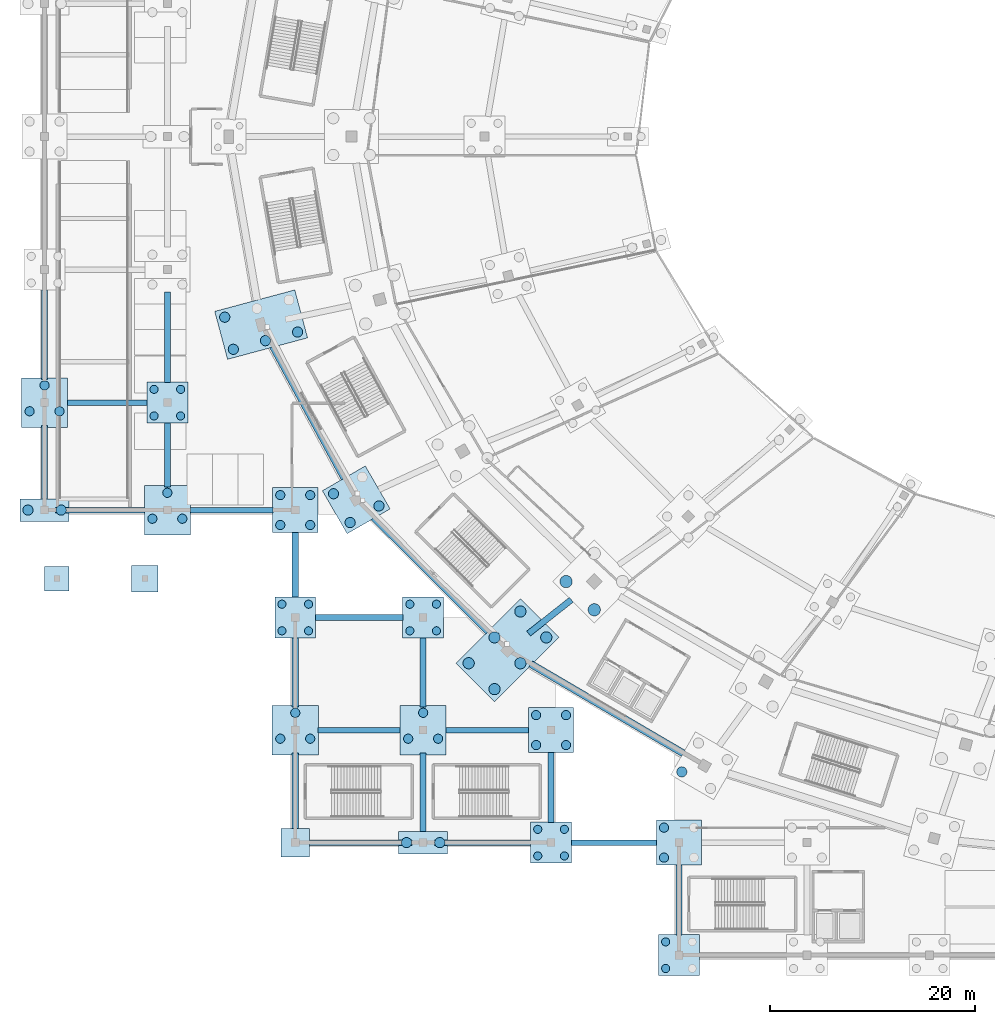
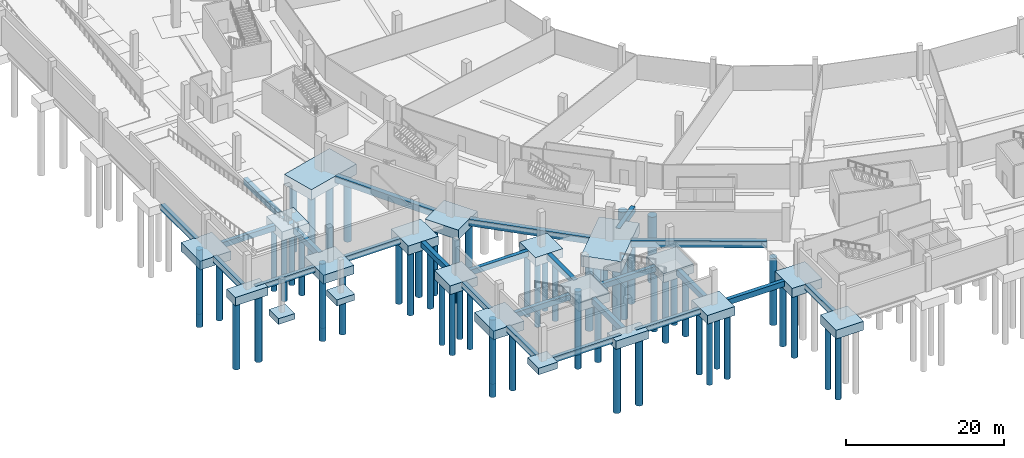
# One storey, part 1 of 74: 60 piles, 44 footings.
"""IFC4 building model written with IfcOpenShell, lengths in metres."""

from ifc_helpers import new_model, si_unit, direction, frame, origin, origin_2d, place, context, subcontext, project, spatial, polyline, rectangle, circle, outline, extrude, material, material_profile, profile_set, type_object, element, save


model = new_model("IFC4")

# Units and contexts
model_context = context("Model", 3, precision=1e-05, world=origin(), true_north=direction((0.0, 1.0)))
body_context = subcontext(model_context, "Body", "Model", "MODEL_VIEW")
ifc_project = project(units=[si_unit("LENGTHUNIT", "METRE"), si_unit("AREAUNIT", "SQUARE_METRE"), si_unit("VOLUMEUNIT", "CUBIC_METRE"), si_unit("PLANEANGLEUNIT", "RADIAN"), si_unit("MASSUNIT", "GRAM", prefix="KILO")], contexts=[model_context])

# Site, building, storey
site_placement = place(None, origin())
site = spatial("IfcSite", under=ifc_project, at=site_placement, CompositionType="ELEMENT")
building_placement = place(site_placement, origin())
building = spatial("IfcBuilding", under=site, at=building_placement, Name="Zlatoyarsky Gate Stadium", CompositionType="ELEMENT")
storey_placement = place(building_placement, frame((0.0, 0.0, -5.39990234375)))
storey = spatial("IfcBuildingStorey", under=building, at=storey_placement, Name="B1", CompositionType="ELEMENT", Elevation=-5.39990234375)

# Piles
ifc_material = material(Name="Concrete C35/45", Category="concrete")
ifc_material_profile_1 = material_profile(ifc_material, circle(Radius=0.5, at=origin_2d()), Name="BORED PILE D1000")
ifc_profile_set_1 = profile_set([ifc_material_profile_1], Name="Concrete C35/45")
pile_type_1 = type_object("IfcPileType", Name="CONCRETE BORED PILE D1000", PredefinedType="BORED", material=ifc_profile_set_1)
for number, where, z_axis, x_axis, name in (
    (1, (17.609130859375, 62.352294921875, -1.5), (0.0, 0.0, -1.0), (1.0, 0.0, 0.0), "Pile 3 under RC-13"),
    (2, (24.728759765625, 60.895263671875, -1.5), (0.0, 0.0, -1.0), (1.0, 0.0, 0.0), "Pile 4 under RC-13"),
    (3, (21.589599609375, 60.05419921875, -1.5), (0.0, 0.0, -1.0), (1.0, 0.0, 0.0), "Pile 5 under RC-13"),
    (4, (18.4501953125, 59.212890625, -1.5), (0.0, 0.0, -1.0), (1.0, 0.0, 0.0), "Pile 6 under RC-13"),
):
    element("IfcPile", number, at=place(storey_placement, frame(where, z_axis=z_axis, x_axis=x_axis)), inside=storey, type_object=pile_type_1, Name=name, PredefinedType="BORED", context=body_context, shape_type="SweptSolid", body=[
        extrude(circle(Radius=0.5, at=origin_2d()), origin(), (0.0, 0.0, 1.0), 10.300048828125),
    ])
for number, where, z_axis, x_axis, name in (
    (5, (28.23974609375, 45.0947265625, -1.400146484375), (0.0, 0.0, -1.0), (1.0, 0.0, 0.0), "Pile 2 under RC-14"),
    (6, (32.679443359375, 43.9052734375, -1.400146484375), (0.0, 0.0, -1.0), (1.0, 0.0, 0.0), "Pile 3 under RC-14"),
    (7, (29.86474609375, 42.2802734375, -1.400146484375), (0.0, 0.0, -1.0), (1.0, 0.0, 0.0), "Pile 4 under RC-14"),
    (8, (62.2802734375, 17.91748046875, -1.400146484375), (0.0, 0.0, -1.0), (1.0, 0.0, 0.0), "Pile 2 under RC-16"),
):
    element("IfcPile", number, at=place(storey_placement, frame(where, z_axis=z_axis, x_axis=x_axis)), inside=storey, type_object=pile_type_1, Name=name, PredefinedType="BORED", context=body_context, shape_type="SweptSolid", body=[
        extrude(circle(Radius=0.5, at=origin_2d()), origin(), (0.0, 0.0, 1.0), 10.39990234375),
    ])
for number, where, z_axis, x_axis, name in (
    (9, (-1.625, 43.5, -1.2001953125), (0.0, 0.0, -1.0), (1.0, 0.0, 0.0), "Pile 1 under WG-1-E"),
    (10, (1.625, 43.5, -1.2001953125), (0.0, 0.0, -1.0), (1.0, 0.0, 0.0), "Pile 2 under WG-1-E"),
    (11, (35.375, 11.0, -1.2001953125), (0.0, 0.0, -1.0), (1.0, 0.0, 0.0), "Pile 1 under WG-4-B"),
    (12, (38.625, 11.0, -1.2001953125), (0.0, 0.0, -1.0), (1.0, 0.0, 0.0), "Pile 2 under WG-4-B"),
):
    element("IfcPile", number, at=place(storey_placement, frame(where, z_axis=z_axis, x_axis=x_axis)), inside=storey, type_object=pile_type_1, Name=name, PredefinedType="BORED", context=body_context, shape_type="SweptSolid", body=[
        extrude(circle(Radius=0.5, at=origin_2d()), origin(), (0.0, 0.0, 1.0), 10.60009765625),
    ])
ifc_material_profile_2 = material_profile(ifc_material, circle(Radius=0.550048828125, at=origin_2d()), Name="BORED PILE D1100")
ifc_profile_set_2 = profile_set([ifc_material_profile_2], Name="Concrete C35/45")
pile_type_2 = type_object("IfcPileType", Name="CONCRETE BORED PILE D1100", PredefinedType="BORED", material=ifc_profile_set_2)
for number, where, z_axis, x_axis, name in (
    (13, (46.503173828125, 33.58740234375, -1.60009765625), (0.0, 0.0, -1.0), (1.0, 0.0, 0.0), "Pile 1 under RC-15"),
    (14, (43.97509765625, 31.059326171875, -1.60009765625), (0.0, 0.0, -1.0), (1.0, 0.0, 0.0), "Pile 2 under RC-15"),
    (15, (41.447265625, 28.531494140625, -1.60009765625), (0.0, 0.0, -1.0), (1.0, 0.0, 0.0), "Pile 3 under RC-15"),
    (16, (49.031005859375, 31.059326171875, -1.60009765625), (0.0, 0.0, -1.0), (1.0, 0.0, 0.0), "Pile 4 under RC-15"),
    (17, (46.503173828125, 28.531494140625, -1.60009765625), (0.0, 0.0, -1.0), (1.0, 0.0, 0.0), "Pile 5 under RC-15"),
    (18, (43.97509765625, 26.00341796875, -1.60009765625), (0.0, 0.0, -1.0), (1.0, 0.0, 0.0), "Pile 6 under RC-15"),
):
    element("IfcPile", number, at=place(storey_placement, frame(where, z_axis=z_axis, x_axis=x_axis)), inside=storey, type_object=pile_type_2, Name=name, PredefinedType="BORED", context=body_context, shape_type="SweptSolid", body=[
        extrude(circle(Radius=0.550048828125, at=origin_2d()), origin(), (0.0, 0.0, 1.0), 10.199951171875),
    ])
ifc_material_profile_3 = material_profile(ifc_material, circle(Radius=0.60009765625, at=origin_2d()), Name="BORED PILE D1200")
ifc_profile_set_3 = profile_set([ifc_material_profile_3], Name="Concrete C35/45")
pile_type_3 = type_object("IfcPileType", Name="CONCRETE BORED PILE D1200", PredefinedType="BORED", material=ifc_profile_set_3)
for number, where, z_axis, x_axis, name in (
    (19, (50.966796875, 36.512939453125, -1.550048828125), (0.0, 0.0, -1.0), (1.0, 0.0, 0.0), "Pile 2 under RB-15"),
    (20, (53.724365234375, 33.755126953125, -1.550048828125), (0.0, 0.0, -1.0), (1.0, 0.0, 0.0), "Pile 4 under RB-15"),
):
    element("IfcPile", number, at=place(storey_placement, frame(where, z_axis=z_axis, x_axis=x_axis)), inside=storey, type_object=pile_type_3, Name=name, PredefinedType="BORED", context=body_context, shape_type="SweptSolid", body=[
        extrude(circle(Radius=0.60009765625, at=origin_2d()), origin(), (0.0, 0.0, 1.0), 10.25),
    ])
ifc_material_profile_4 = material_profile(ifc_material, circle(Radius=0.39990234375, at=origin_2d()), Name="BORED PILE D800")
ifc_profile_set_4 = profile_set([ifc_material_profile_4], Name="Concrete C35/45")
pile_type_4 = type_object("IfcPileType", Name="CONCRETE BORED PILE D800", PredefinedType="BORED", material=ifc_profile_set_4)
for number, where, z_axis, x_axis, name in (
    (21, (10.699951171875, 52.699951171875, -1.25), (0.0, 0.0, -1.0), (1.0, 0.0, 0.0), "Pile 1 under WG-2-F"),
    (22, (13.300048828125, 52.699951171875, -1.25), (0.0, 0.0, -1.0), (1.0, 0.0, 0.0), "Pile 2 under WG-2-F"),
    (23, (10.699951171875, 55.300048828125, -1.25), (0.0, 0.0, -1.0), (1.0, 0.0, 0.0), "Pile 3 under WG-2-F"),
    (24, (13.300048828125, 55.300048828125, -1.25), (0.0, 0.0, -1.0), (1.0, 0.0, 0.0), "Pile 4 under WG-2-F"),
    (25, (23.199951171875, 31.699951171875, -1.25), (0.0, 0.0, -1.0), (1.0, 0.0, 0.0), "Pile 1 under WG-3-D"),
    (26, (25.800048828125, 31.699951171875, -1.25), (0.0, 0.0, -1.0), (1.0, 0.0, 0.0), "Pile 2 under WG-3-D"),
    (27, (23.199951171875, 34.300048828125, -1.25), (0.0, 0.0, -1.0), (1.0, 0.0, 0.0), "Pile 3 under WG-3-D"),
    (28, (25.800048828125, 34.300048828125, -1.25), (0.0, 0.0, -1.0), (1.0, 0.0, 0.0), "Pile 4 under WG-3-D"),
    (29, (35.699951171875, 31.699951171875, -1.25), (0.0, 0.0, -1.0), (1.0, 0.0, 0.0), "Pile 1 under WG-4-D"),
    (30, (38.300048828125, 31.699951171875, -1.25), (0.0, 0.0, -1.0), (1.0, 0.0, 0.0), "Pile 2 under WG-4-D"),
    (31, (35.699951171875, 34.300048828125, -1.25), (0.0, 0.0, -1.0), (1.0, 0.0, 0.0), "Pile 3 under WG-4-D"),
    (32, (38.300048828125, 34.300048828125, -1.25), (0.0, 0.0, -1.0), (1.0, 0.0, 0.0), "Pile 4 under WG-4-D"),
    (33, (48.199951171875, 9.699951171875, -1.25), (0.0, 0.0, -1.0), (1.0, 0.0, 0.0), "Pile 1 under WG-5-B"),
    (34, (50.800048828125, 9.699951171875, -1.25), (0.0, 0.0, -1.0), (1.0, 0.0, 0.0), "Pile 2 under WG-5-B"),
    (35, (48.199951171875, 12.300048828125, -1.25), (0.0, 0.0, -1.0), (1.0, 0.0, 0.0), "Pile 3 under WG-5-B"),
    (36, (50.800048828125, 12.300048828125, -1.25), (0.0, 0.0, -1.0), (1.0, 0.0, 0.0), "Pile 4 under WG-5-B"),
    (37, (60.699951171875, -1.300048828125, -1.25), (0.0, 0.0, -1.0), (1.0, 0.0, 0.0), "Pile 1 under WG-6-A"),
    (38, (60.699951171875, 1.300048828125, -1.25), (0.0, 0.0, -1.0), (1.0, 0.0, 0.0), "Pile 3 under WG-6-A"),
):
    element("IfcPile", number, at=place(storey_placement, frame(where, z_axis=z_axis, x_axis=x_axis)), inside=storey, type_object=pile_type_4, Name=name, PredefinedType="BORED", context=body_context, shape_type="SweptSolid", body=[
        extrude(circle(Radius=0.39990234375, at=origin_2d()), origin(), (0.0, 0.0, 1.0), 9.949951171875),
    ])
ifc_material_profile_5 = material_profile(ifc_material, circle(Radius=0.449951171875, at=origin_2d()), Name="BORED PILE D900")
ifc_profile_set_5 = profile_set([ifc_material_profile_5], Name="Concrete C35/45")
pile_type_5 = type_object("IfcPileType", Name="CONCRETE BORED PILE D900", PredefinedType="BORED", material=ifc_profile_set_5)
for number, where, z_axis, x_axis, name in (
    (39, (-1.46240234375, 53.15576171875, -1.25), (0.0, 0.0, -1.0), (1.0, 0.0, 0.0), "Pile 1 under WG-1-F"),
    (40, (1.46240234375, 53.15576171875, -1.25), (0.0, 0.0, -1.0), (1.0, 0.0, 0.0), "Pile 2 under WG-1-F"),
    (41, (0.0, 55.688720703125, -1.25), (0.0, 0.0, -1.0), (1.0, 0.0, 0.0), "Pile 3 under WG-1-F"),
    (42, (10.53759765625, 42.65576171875, -1.25), (0.0, 0.0, -1.0), (1.0, 0.0, 0.0), "Pile 1 under WG-2-E"),
    (43, (13.46240234375, 42.65576171875, -1.25), (0.0, 0.0, -1.0), (1.0, 0.0, 0.0), "Pile 2 under WG-2-E"),
    (44, (12.0, 45.188720703125, -1.25), (0.0, 0.0, -1.0), (1.0, 0.0, 0.0), "Pile 3 under WG-2-E"),
    (45, (23.03759765625, 21.15576171875, -1.25), (0.0, 0.0, -1.0), (1.0, 0.0, 0.0), "Pile 1 under WG-3-C"),
    (46, (25.96240234375, 21.15576171875, -1.25), (0.0, 0.0, -1.0), (1.0, 0.0, 0.0), "Pile 2 under WG-3-C"),
    (47, (24.5, 23.688720703125, -1.25), (0.0, 0.0, -1.0), (1.0, 0.0, 0.0), "Pile 3 under WG-3-C"),
):
    element("IfcPile", number, at=place(storey_placement, frame(where, z_axis=z_axis, x_axis=x_axis)), inside=storey, type_object=pile_type_5, Name=name, PredefinedType="BORED", context=body_context, shape_type="SweptSolid", body=[
        extrude(circle(Radius=0.449951171875, at=origin_2d()), origin(), (0.0, 0.0, 1.0), 9.949951171875),
    ])
for number, where, z_axis, x_axis, name in (
    (48, (23.03759765625, 42.03759765625, -1.300048828125), (0.0, 0.0, -1.0), (1.0, 0.0, 0.0), "Pile 1 under WG-3-E"),
    (49, (25.96240234375, 42.03759765625, -1.300048828125), (0.0, 0.0, -1.0), (1.0, 0.0, 0.0), "Pile 2 under WG-3-E"),
    (50, (23.03759765625, 44.96240234375, -1.300048828125), (0.0, 0.0, -1.0), (1.0, 0.0, 0.0), "Pile 3 under WG-3-E"),
    (51, (25.96240234375, 44.96240234375, -1.300048828125), (0.0, 0.0, -1.0), (1.0, 0.0, 0.0), "Pile 4 under WG-3-E"),
):
    element("IfcPile", number, at=place(storey_placement, frame(where, z_axis=z_axis, x_axis=x_axis)), inside=storey, type_object=pile_type_5, Name=name, PredefinedType="BORED", context=body_context, shape_type="SweptSolid", body=[
        extrude(circle(Radius=0.449951171875, at=origin_2d()), origin(), (0.0, 0.0, 1.0), 9.89990234375),
    ])
for number, where, z_axis, x_axis, name in (
    (52, (35.53759765625, 21.15576171875, -1.25), (0.0, 0.0, -1.0), (1.0, 0.0, 0.0), "Pile 1 under WG-4-C"),
    (53, (38.46240234375, 21.15576171875, -1.25), (0.0, 0.0, -1.0), (1.0, 0.0, 0.0), "Pile 2 under WG-4-C"),
    (54, (37.0, 23.688720703125, -1.25), (0.0, 0.0, -1.0), (1.0, 0.0, 0.0), "Pile 3 under WG-4-C"),
):
    element("IfcPile", number, at=place(storey_placement, frame(where, z_axis=z_axis, x_axis=x_axis)), inside=storey, type_object=pile_type_5, Name=name, PredefinedType="BORED", context=body_context, shape_type="SweptSolid", body=[
        extrude(circle(Radius=0.449951171875, at=origin_2d()), origin(), (0.0, 0.0, 1.0), 9.949951171875),
    ])
for number, where, z_axis, x_axis, name in (
    (55, (48.03759765625, 20.53759765625, -1.300048828125), (0.0, 0.0, -1.0), (1.0, 0.0, 0.0), "Pile 1 under WG-5-C"),
    (56, (50.96240234375, 20.53759765625, -1.300048828125), (0.0, 0.0, -1.0), (1.0, 0.0, 0.0), "Pile 2 under WG-5-C"),
    (57, (48.03759765625, 23.46240234375, -1.300048828125), (0.0, 0.0, -1.0), (1.0, 0.0, 0.0), "Pile 3 under WG-5-C"),
    (58, (50.96240234375, 23.46240234375, -1.300048828125), (0.0, 0.0, -1.0), (1.0, 0.0, 0.0), "Pile 4 under WG-5-C"),
    (59, (60.53759765625, 9.53759765625, -1.300048828125), (0.0, 0.0, -1.0), (1.0, 0.0, 0.0), "Pile 1 under WG-6-B"),
    (60, (60.53759765625, 12.46240234375, -1.300048828125), (0.0, 0.0, -1.0), (1.0, 0.0, 0.0), "Pile 3 under WG-6-B"),
):
    element("IfcPile", number, at=place(storey_placement, frame(where, z_axis=z_axis, x_axis=x_axis)), inside=storey, type_object=pile_type_5, Name=name, PredefinedType="BORED", context=body_context, shape_type="SweptSolid", body=[
        extrude(circle(Radius=0.449951171875, at=origin_2d()), origin(), (0.0, 0.0, 1.0), 9.89990234375),
    ])

# Footings
ifc_material_profile_6 = material_profile(ifc_material, rectangle(XDim=0.550048828125, YDim=0.85009765625, at=origin_2d()), Name="GB 550X850")
ifc_profile_set_6 = profile_set([ifc_material_profile_6], Name="Concrete C35/45")
footing_type_1 = type_object("IfcFootingType", Name="CONCRETE GROUND TIE BEAM 550X850", PredefinedType="STRIP_FOOTING", material=ifc_profile_set_6)
footing_1_placement = place(storey_placement, frame((0.0, 0.0, -0.85009765625)))
element("IfcFooting", 61, at=footing_1_placement, inside=storey, type_object=footing_type_1, Name="Ground tie beam GB-02 WG-1-E to WG-2-E", PredefinedType="STRIP_FOOTING", context=body_context, shape_type="SweptSolid", body=[
    extrude(outline(polyline([(1.090087890625, 43.22509765625), (9.760009765625, 43.22509765625), (9.760009765625, 43.77490234375), (1.090087890625, 43.77490234375), (1.090087890625, 43.22509765625)])), origin(), (0.0, 0.0, 1.0), 0.85009765625),
])
footing_2_placement = place(storey_placement, frame((0.0, 0.0, -0.85009765625)))
element("IfcFooting", 62, at=footing_2_placement, inside=storey, type_object=footing_type_1, Name="Ground tie beam GB-02 WG-1-F to WG-2-F", PredefinedType="STRIP_FOOTING", context=body_context, shape_type="SweptSolid", body=[
    extrude(outline(polyline([(2.239990234375, 53.72509765625), (10.010009765625, 53.72509765625), (10.010009765625, 54.27490234375), (2.239990234375, 54.27490234375), (2.239990234375, 53.72509765625)])), origin(), (0.0, 0.0, 1.0), 0.85009765625),
])
footing_3_placement = place(storey_placement, frame((0.0, 0.0, -0.85009765625)))
element("IfcFooting", 63, at=footing_3_placement, inside=storey, type_object=footing_type_1, Name="Ground tie beam GB-02 WG-2-E to WG-3-E", PredefinedType="STRIP_FOOTING", context=body_context, shape_type="SweptSolid", body=[
    extrude(outline(polyline([(14.239990234375, 43.22509765625), (22.31005859375, 43.22509765625), (22.31005859375, 43.77490234375), (14.239990234375, 43.77490234375), (14.239990234375, 43.22509765625)])), origin(), (0.0, 0.0, 1.0), 0.85009765625),
])
footing_4_placement = place(storey_placement, frame((0.0, 0.0, -0.85009765625)))
element("IfcFooting", 64, at=footing_4_placement, inside=storey, type_object=footing_type_1, Name="Ground tie beam GB-02 WG-3-B to WG-4-B", PredefinedType="STRIP_FOOTING", context=body_context, shape_type="SweptSolid", body=[
    extrude(outline(polyline([(25.889892578125, 10.72509765625), (35.909912109375, 10.72509765625), (35.909912109375, 11.27490234375), (25.889892578125, 11.27490234375), (25.889892578125, 10.72509765625)])), origin(), (0.0, 0.0, 1.0), 0.85009765625),
])
footing_5_placement = place(storey_placement, frame((0.0, 0.0, -0.85009765625)))
element("IfcFooting", 65, at=footing_5_placement, inside=storey, type_object=footing_type_1, Name="Ground tie beam GB-02 WG-3-C to WG-4-C", PredefinedType="STRIP_FOOTING", context=body_context, shape_type="SweptSolid", body=[
    extrude(outline(polyline([(26.739990234375, 21.72509765625), (34.760009765625, 21.72509765625), (34.760009765625, 22.27490234375), (26.739990234375, 22.27490234375), (26.739990234375, 21.72509765625)])), origin(), (0.0, 0.0, 1.0), 0.85009765625),
])
footing_6_placement = place(storey_placement, frame((0.0, 0.0, -0.85009765625)))
element("IfcFooting", 66, at=footing_6_placement, inside=storey, type_object=footing_type_1, Name="Ground tie beam GB-02 WG-3-D to WG-4-D", PredefinedType="STRIP_FOOTING", context=body_context, shape_type="SweptSolid", body=[
    extrude(outline(polyline([(26.489990234375, 32.72509765625), (35.010009765625, 32.72509765625), (35.010009765625, 33.27490234375), (26.489990234375, 33.27490234375), (26.489990234375, 32.72509765625)])), origin(), (0.0, 0.0, 1.0), 0.85009765625),
])
footing_7_placement = place(storey_placement, frame((0.0, 0.0, -0.85009765625)))
element("IfcFooting", 67, at=footing_7_placement, inside=storey, type_object=footing_type_1, Name="Ground tie beam GB-02 WG-4-B to WG-5-B", PredefinedType="STRIP_FOOTING", context=body_context, shape_type="SweptSolid", body=[
    extrude(outline(polyline([(38.090087890625, 10.72509765625), (47.510009765625, 10.72509765625), (47.510009765625, 11.27490234375), (38.090087890625, 11.27490234375), (38.090087890625, 10.72509765625)])), origin(), (0.0, 0.0, 1.0), 0.85009765625),
])
footing_8_placement = place(storey_placement, frame((0.0, 0.0, -0.85009765625)))
element("IfcFooting", 68, at=footing_8_placement, inside=storey, type_object=footing_type_1, Name="Ground tie beam GB-02 WG-4-C to WG-5-C", PredefinedType="STRIP_FOOTING", context=body_context, shape_type="SweptSolid", body=[
    extrude(outline(polyline([(39.239990234375, 21.72509765625), (47.31005859375, 21.72509765625), (47.31005859375, 22.27490234375), (39.239990234375, 22.27490234375), (39.239990234375, 21.72509765625)])), origin(), (0.0, 0.0, 1.0), 0.85009765625),
])
footing_9_placement = place(storey_placement, frame((0.0, 0.0, -0.85009765625)))
element("IfcFooting", 69, at=footing_9_placement, inside=storey, type_object=footing_type_1, Name="Ground tie beam GB-02 WG-5-B to WG-6-B", PredefinedType="STRIP_FOOTING", context=body_context, shape_type="SweptSolid", body=[
    extrude(outline(polyline([(51.489990234375, 10.72509765625), (59.81005859375, 10.72509765625), (59.81005859375, 11.27490234375), (51.489990234375, 11.27490234375), (51.489990234375, 10.72509765625)])), origin(), (0.0, 0.0, 1.0), 0.85009765625),
])
ifc_material_profile_7 = material_profile(ifc_material, rectangle(XDim=0.60009765625, YDim=0.89990234375, at=origin_2d()), Name="GB 600X900")
ifc_profile_set_7 = profile_set([ifc_material_profile_7], Name="Concrete C35/45")
footing_type_2 = type_object("IfcFootingType", Name="CONCRETE GROUND TIE BEAM 600X900", PredefinedType="STRIP_FOOTING", material=ifc_profile_set_7)
footing_10_placement = place(storey_placement, frame((0.0, 0.0, -0.900146484375)))
element("IfcFooting", 70, at=footing_10_placement, inside=storey, type_object=footing_type_2, Name="Ground tie beam GB-03 RB-15 to RC-15", PredefinedType="STRIP_FOOTING", context=body_context, shape_type="SweptSolid", body=[
    extrude(outline(polyline([(51.2919921875, 34.9697265625), (47.122802734375, 31.66943359375), (47.4951171875, 31.198974609375), (51.664306640625, 34.499267578125), (51.2919921875, 34.9697265625)])), origin(), (0.0, 0.0, 1.0), 0.900146484375),
])
footing_11_placement = place(storey_placement, frame((0.0, 0.0, -0.900146484375)))
element("IfcFooting", 71, at=footing_11_placement, inside=storey, type_object=footing_type_2, Name="Ground tie beam GB-03 WG-1-E to WG-1-F", PredefinedType="STRIP_FOOTING", context=body_context, shape_type="SweptSolid", body=[
    extrude(outline(polyline([(0.300048828125, 44.590087890625), (0.300048828125, 51.760009765625), (-0.300048828125, 51.760009765625), (-0.300048828125, 44.590087890625), (0.300048828125, 44.590087890625)])), origin(), (0.0, 0.0, 1.0), 0.900146484375),
])
footing_12_placement = place(storey_placement, frame((0.0, 0.0, -0.900146484375)))
element("IfcFooting", 72, at=footing_12_placement, inside=storey, type_object=footing_type_2, Name="Ground tie beam GB-03 WG-1-F to WG-1-G", PredefinedType="STRIP_FOOTING", context=body_context, shape_type="SweptSolid", body=[
    extrude(outline(polyline([(0.300048828125, 56.239990234375), (0.300048828125, 65.010009765625), (-0.300048828125, 65.010009765625), (-0.300048828125, 56.239990234375), (0.300048828125, 56.239990234375)])), origin(), (0.0, 0.0, 1.0), 0.900146484375),
])
footing_13_placement = place(storey_placement, frame((0.0, 0.0, -0.900146484375)))
element("IfcFooting", 73, at=footing_13_placement, inside=storey, type_object=footing_type_2, Name="Ground tie beam GB-03 WG-2-E to WG-2-F", PredefinedType="STRIP_FOOTING", context=body_context, shape_type="SweptSolid", body=[
    extrude(outline(polyline([(12.300048828125, 45.739990234375), (12.300048828125, 52.010009765625), (11.699951171875, 52.010009765625), (11.699951171875, 45.739990234375), (12.300048828125, 45.739990234375)])), origin(), (0.0, 0.0, 1.0), 0.900146484375),
])
footing_14_placement = place(storey_placement, frame((0.0, 0.0, -0.900146484375)))
element("IfcFooting", 74, at=footing_14_placement, inside=storey, type_object=footing_type_2, Name="Ground tie beam GB-03 WG-2-F to WG-2-G", PredefinedType="STRIP_FOOTING", context=body_context, shape_type="SweptSolid", body=[
    extrude(outline(polyline([(12.300048828125, 55.989990234375), (12.300048828125, 64.81005859375), (11.699951171875, 64.81005859375), (11.699951171875, 55.989990234375), (12.300048828125, 55.989990234375)])), origin(), (0.0, 0.0, 1.0), 0.900146484375),
])
footing_15_placement = place(storey_placement, frame((0.0, 0.0, -0.900146484375)))
element("IfcFooting", 75, at=footing_15_placement, inside=storey, type_object=footing_type_2, Name="Ground tie beam GB-03 WG-3-B to WG-3-C", PredefinedType="STRIP_FOOTING", context=body_context, shape_type="SweptSolid", body=[
    extrude(outline(polyline([(24.800048828125, 12.389892578125), (24.800048828125, 19.760009765625), (24.199951171875, 19.760009765625), (24.199951171875, 12.389892578125), (24.800048828125, 12.389892578125)])), origin(), (0.0, 0.0, 1.0), 0.900146484375),
])
footing_16_placement = place(storey_placement, frame((0.0, 0.0, -0.900146484375)))
element("IfcFooting", 76, at=footing_16_placement, inside=storey, type_object=footing_type_2, Name="Ground tie beam GB-03 WG-3-C to WG-3-D", PredefinedType="STRIP_FOOTING", context=body_context, shape_type="SweptSolid", body=[
    extrude(outline(polyline([(24.800048828125, 24.239990234375), (24.800048828125, 31.010009765625), (24.199951171875, 31.010009765625), (24.199951171875, 24.239990234375), (24.800048828125, 24.239990234375)])), origin(), (0.0, 0.0, 1.0), 0.900146484375),
])
footing_17_placement = place(storey_placement, frame((0.0, 0.0, -0.900146484375)))
element("IfcFooting", 77, at=footing_17_placement, inside=storey, type_object=footing_type_2, Name="Ground tie beam GB-03 WG-3-D to WG-3-E", PredefinedType="STRIP_FOOTING", context=body_context, shape_type="SweptSolid", body=[
    extrude(outline(polyline([(24.800048828125, 34.989990234375), (24.800048828125, 41.31005859375), (24.199951171875, 41.31005859375), (24.199951171875, 34.989990234375), (24.800048828125, 34.989990234375)])), origin(), (0.0, 0.0, 1.0), 0.900146484375),
])
footing_18_placement = place(storey_placement, frame((0.0, 0.0, -0.900146484375)))
element("IfcFooting", 78, at=footing_18_placement, inside=storey, type_object=footing_type_2, Name="Ground tie beam GB-03 WG-4-B to WG-4-C", PredefinedType="STRIP_FOOTING", context=body_context, shape_type="SweptSolid", body=[
    extrude(outline(polyline([(37.300048828125, 12.090087890625), (37.300048828125, 19.760009765625), (36.699951171875, 19.760009765625), (36.699951171875, 12.090087890625), (37.300048828125, 12.090087890625)])), origin(), (0.0, 0.0, 1.0), 0.900146484375),
])
footing_19_placement = place(storey_placement, frame((0.0, 0.0, -0.900146484375)))
element("IfcFooting", 79, at=footing_19_placement, inside=storey, type_object=footing_type_2, Name="Ground tie beam GB-03 WG-4-C to WG-4-D", PredefinedType="STRIP_FOOTING", context=body_context, shape_type="SweptSolid", body=[
    extrude(outline(polyline([(37.300048828125, 24.239990234375), (37.300048828125, 31.010009765625), (36.699951171875, 31.010009765625), (36.699951171875, 24.239990234375), (37.300048828125, 24.239990234375)])), origin(), (0.0, 0.0, 1.0), 0.900146484375),
])
footing_20_placement = place(storey_placement, frame((0.0, 0.0, -0.900146484375)))
element("IfcFooting", 80, at=footing_20_placement, inside=storey, type_object=footing_type_2, Name="Ground tie beam GB-03 WG-5-B to WG-5-C", PredefinedType="STRIP_FOOTING", context=body_context, shape_type="SweptSolid", body=[
    extrude(outline(polyline([(49.800048828125, 12.989990234375), (49.800048828125, 19.81005859375), (49.199951171875, 19.81005859375), (49.199951171875, 12.989990234375), (49.800048828125, 12.989990234375)])), origin(), (0.0, 0.0, 1.0), 0.900146484375),
])
footing_21_placement = place(storey_placement, frame((0.0, 0.0, -0.900146484375)))
element("IfcFooting", 81, at=footing_21_placement, inside=storey, type_object=footing_type_2, Name="Ground tie beam GB-03 WG-6-A to WG-6-B", PredefinedType="STRIP_FOOTING", context=body_context, shape_type="SweptSolid", body=[
    extrude(outline(polyline([(62.300048828125, 1.989990234375), (62.300048828125, 8.81005859375), (61.699951171875, 8.81005859375), (61.699951171875, 1.989990234375), (62.300048828125, 1.989990234375)])), origin(), (0.0, 0.0, 1.0), 0.900146484375),
])
ifc_material_profile_8 = material_profile(ifc_material, rectangle(XDim=0.699951171875, YDim=1.0, at=origin_2d()), Name="GB 700X1000")
ifc_profile_set_8 = profile_set([ifc_material_profile_8], Name="Concrete C35/45")
footing_type_3 = type_object("IfcFootingType", Name="CONCRETE GROUND TIE BEAM 700X1000", PredefinedType="STRIP_FOOTING", material=ifc_profile_set_8)
footing_22_placement = place(storey_placement, frame((0.0, 0.0, -1.0)))
element("IfcFooting", 82, at=footing_22_placement, inside=storey, type_object=footing_type_3, Name="Ground tie beam GB-05 RC-13 to RC-14", PredefinedType="STRIP_FOOTING", context=body_context, shape_type="SweptSolid", body=[
    extrude(outline(polyline([(22.012939453125, 59.334228515625), (29.000244140625, 46.455810546875), (29.615478515625, 46.78955078125), (22.628173828125, 59.66796875), (22.012939453125, 59.334228515625)])), origin(), (0.0, 0.0, 1.0), 1.0),
])
footing_23_placement = place(storey_placement, frame((0.0, 0.0, -1.0)))
element("IfcFooting", 83, at=footing_23_placement, inside=storey, type_object=footing_type_3, Name="Ground tie beam GB-05 RC-14 to RC-15", PredefinedType="STRIP_FOOTING", context=body_context, shape_type="SweptSolid", body=[
    extrude(outline(polyline([(31.9248046875, 42.548583984375), (43.120849609375, 31.4091796875), (43.614501953125, 31.905517578125), (32.41845703125, 43.044921875), (31.9248046875, 42.548583984375)])), origin(), (0.0, 0.0, 1.0), 1.0),
])
footing_24_placement = place(storey_placement, frame((0.0, 0.0, -1.0)))
element("IfcFooting", 84, at=footing_24_placement, inside=storey, type_object=footing_type_3, Name="Ground tie beam GB-05 RC-15 to RC-16", PredefinedType="STRIP_FOOTING", context=body_context, shape_type="SweptSolid", body=[
    extrude(outline(polyline([(47.340087890625, 28.158935546875), (62.2392578125, 19.430908203125), (62.593017578125, 20.034912109375), (47.69384765625, 28.762939453125), (47.340087890625, 28.158935546875)])), origin(), (0.0, 0.0, 1.0), 1.0),
])
footing_type_4 = type_object("IfcFootingType", Name="CONCRETE PAD FOOTING 2400X2400X900", PredefinedType="PAD_FOOTING", material=ifc_material)
footing_25_placement = place(storey_placement, frame((1.199951171875, 36.800048828125, -0.900146484375), z_axis=(0.0, 0.0, 1.0), x_axis=(1.0, 0.0, 0.0)))
element("IfcFooting", 85, at=footing_25_placement, inside=storey, type_object=footing_type_4, Name="Pad footing PF-01 at APR-S1", PredefinedType="PAD_FOOTING", context=body_context, shape_type="SweptSolid", body=[
    extrude(rectangle(XDim=2.39990234375, YDim=2.39990234375, at=origin_2d()), origin(), (0.0, 0.0, 1.0), 0.89990234375),
])
footing_type_5 = type_object("IfcFootingType", Name="CONCRETE PAD FOOTING 2600X2600X950", PredefinedType="PAD_FOOTING", material=ifc_material)
footing_26_placement = place(storey_placement, frame((9.800048828125, 36.800048828125, -0.9501953125), z_axis=(0.0, 0.0, 1.0), x_axis=(1.0, 0.0, 0.0)))
element("IfcFooting", 86, at=footing_26_placement, inside=storey, type_object=footing_type_5, Name="Pad footing PF-02 at APR-S2", PredefinedType="PAD_FOOTING", context=body_context, shape_type="SweptSolid", body=[
    extrude(rectangle(XDim=2.60009765625, YDim=2.60009765625, at=origin_2d()), origin(), (0.0, 0.0, 1.0), 0.949951171875),
])
footing_type_6 = type_object("IfcFootingType", Name="CONCRETE PAD FOOTING 2800X2800X1000", PredefinedType="PAD_FOOTING", material=ifc_material)
footing_27_placement = place(storey_placement, frame((24.5, 11.0, -1.0), z_axis=(0.0, 0.0, 1.0), x_axis=(1.0, 0.0, 0.0)))
element("IfcFooting", 87, at=footing_27_placement, inside=storey, type_object=footing_type_6, Name="Pad footing PF-03 at WG-3-B", PredefinedType="PAD_FOOTING", context=body_context, shape_type="SweptSolid", body=[
    extrude(rectangle(XDim=2.800048828125, YDim=2.800048828125, at=origin_2d()), origin(), (0.0, 0.0, 1.0), 1.0),
])
footing_type_7 = type_object("IfcFootingType", Name="CONCRETE PILE CAP 4000X4000X1350", PredefinedType="PILE_CAP", material=ifc_material)
for number, where, z_axis, x_axis, name in (
    (88, (12.0, 54.0, -1.35009765625), (0.0, 0.0, 1.0), (1.0, 0.0, 0.0), "Pile cap PC-05 at WG-2-F"),
    (89, (24.5, 33.0, -1.35009765625), (0.0, 0.0, 1.0), (1.0, 0.0, 0.0), "Pile cap PC-05 at WG-3-D"),
    (90, (37.0, 33.0, -1.35009765625), (0.0, 0.0, 1.0), (1.0, 0.0, 0.0), "Pile cap PC-05 at WG-4-D"),
    (91, (49.5, 11.0, -1.35009765625), (0.0, 0.0, 1.0), (1.0, 0.0, 0.0), "Pile cap PC-05 at WG-5-B"),
    (92, (62.0, 0.0, -1.35009765625), (0.0, 0.0, 1.0), (1.0, 0.0, 0.0), "Pile cap PC-05 at WG-6-A"),
):
    element("IfcFooting", number, at=place(storey_placement, frame(where, z_axis=z_axis, x_axis=x_axis)), inside=storey, type_object=footing_type_7, Name=name, PredefinedType="PILE_CAP", context=body_context, shape_type="SweptSolid", body=[
        extrude(rectangle(XDim=4.0, YDim=4.0, at=origin_2d()), origin(), (0.0, 0.0, 1.0), 1.35009765625),
    ])
footing_type_8 = type_object("IfcFootingType", Name="CONCRETE PILE CAP 4400X4400X1400", PredefinedType="PILE_CAP", material=ifc_material)
for number, where, z_axis, x_axis, name in (
    (93, (24.5, 43.5, -1.400146484375), (0.0, 0.0, 1.0), (1.0, 0.0, 0.0), "Pile cap PC-06 at WG-3-E"),
    (94, (49.5, 22.0, -1.400146484375), (0.0, 0.0, 1.0), (1.0, 0.0, 0.0), "Pile cap PC-06 at WG-5-C"),
    (95, (62.0, 11.0, -1.400146484375), (0.0, 0.0, 1.0), (1.0, 0.0, 0.0), "Pile cap PC-06 at WG-6-B"),
):
    element("IfcFooting", number, at=place(storey_placement, frame(where, z_axis=z_axis, x_axis=x_axis)), inside=storey, type_object=footing_type_8, Name=name, PredefinedType="PILE_CAP", context=body_context, shape_type="SweptSolid", body=[
        extrude(rectangle(XDim=4.39990234375, YDim=4.39990234375, at=origin_2d()), origin(), (0.0, 0.0, 1.0), 1.39990234375),
    ])
footing_type_9 = type_object("IfcFootingType", Name="CONCRETE PILE CAP 4500X4850X1350", PredefinedType="PILE_CAP", material=ifc_material)
for number, where, z_axis, x_axis, name in (
    (96, (0.0, 54.0, -1.35009765625), (0.0, 0.0, 1.0), (1.0, 0.0, 0.0), "Pile cap PC-04 at WG-1-F"),
    (97, (12.0, 43.5, -1.35009765625), (0.0, 0.0, 1.0), (1.0, 0.0, 0.0), "Pile cap PC-04 at WG-2-E"),
    (98, (24.5, 22.0, -1.35009765625), (0.0, 0.0, 1.0), (1.0, 0.0, 0.0), "Pile cap PC-04 at WG-3-C"),
    (99, (37.0, 22.0, -1.35009765625), (0.0, 0.0, 1.0), (1.0, 0.0, 0.0), "Pile cap PC-04 at WG-4-C"),
):
    element("IfcFooting", number, at=place(storey_placement, frame(where, z_axis=z_axis, x_axis=x_axis)), inside=storey, type_object=footing_type_9, Name=name, PredefinedType="PILE_CAP", context=body_context, shape_type="SweptSolid", body=[
        extrude(rectangle(XDim=4.5, YDim=4.85009765625, at=origin_2d()), origin(), (0.0, 0.0, 1.0), 1.35009765625),
    ])
footing_type_10 = type_object("IfcFootingType", Name="CONCRETE PILE CAP 4800X2200X1300", PredefinedType="PILE_CAP", material=ifc_material)
for number, where, z_axis, x_axis, name in (
    (100, (0.0, 43.5, -1.30029296875), (0.0, 0.0, 1.0), (1.0, 0.0, 0.0), "Pile cap PC-03 at WG-1-E"),
    (101, (37.0, 11.0, -1.30029296875), (0.0, 0.0, 1.0), (1.0, 0.0, 0.0), "Pile cap PC-03 at WG-4-B"),
):
    element("IfcFooting", number, at=place(storey_placement, frame(where, z_axis=z_axis, x_axis=x_axis)), inside=storey, type_object=footing_type_10, Name=name, PredefinedType="PILE_CAP", context=body_context, shape_type="SweptSolid", body=[
        extrude(rectangle(XDim=4.800048828125, YDim=2.199951171875, at=origin_2d()), origin(), (0.0, 0.0, 1.0), 1.300048828125),
    ])
footing_type_11 = type_object("IfcFootingType", Name="CONCRETE PILE CAP 4850X4850X1500", PredefinedType="PILE_CAP", material=ifc_material)
footing_28_placement = place(storey_placement, frame((30.459716796875, 44.5, -1.5), z_axis=(0.0, 0.0, 1.0), x_axis=(-0.866025403784, -0.5, 0.0)))
element("IfcFooting", 102, at=footing_28_placement, inside=storey, type_object=footing_type_11, Name="Pile cap PC-07 at RC-14", PredefinedType="PILE_CAP", context=body_context, shape_type="SweptSolid", body=[
    extrude(rectangle(XDim=4.85009765625, YDim=4.85009765625, at=origin_2d()), origin(), (0.0, 0.0, 1.0), 1.5),
])
footing_type_12 = type_object("IfcFootingType", Name="CONCRETE PILE CAP 8100X4850X1600", PredefinedType="PILE_CAP", material=ifc_material)
footing_29_placement = place(storey_placement, frame((21.1689453125, 61.623779296875, -1.60009765625), z_axis=(0.0, 0.0, 1.0), x_axis=(-0.965925826289, -0.258819045103, 0.0)))
element("IfcFooting", 103, at=footing_29_placement, inside=storey, type_object=footing_type_12, Name="Pile cap PC-11 at RC-13", PredefinedType="PILE_CAP", context=body_context, shape_type="SweptSolid", body=[
    extrude(rectangle(XDim=8.10009765625, YDim=4.85009765625, at=origin_2d()), origin(), (0.0, 0.0, 1.0), 1.60009765625),
])
footing_type_13 = type_object("IfcFootingType", Name="CONCRETE PILE CAP 8900X5300X1700", PredefinedType="PILE_CAP", material=ifc_material)
footing_30_placement = place(storey_placement, frame((45.239013671875, 29.79541015625, -1.7001953125), z_axis=(0.0, 0.0, 1.0), x_axis=(-0.707106781187, -0.707106781187, 0.0)))
element("IfcFooting", 104, at=footing_30_placement, inside=storey, type_object=footing_type_13, Name="Pile cap PC-12 at RC-15", PredefinedType="PILE_CAP", context=body_context, shape_type="SweptSolid", body=[
    extrude(rectangle(XDim=8.89990234375, YDim=5.300048828125, at=origin_2d()), origin(), (0.0, 0.0, 1.0), 1.699951171875),
])

save(model, "model.ifc")
